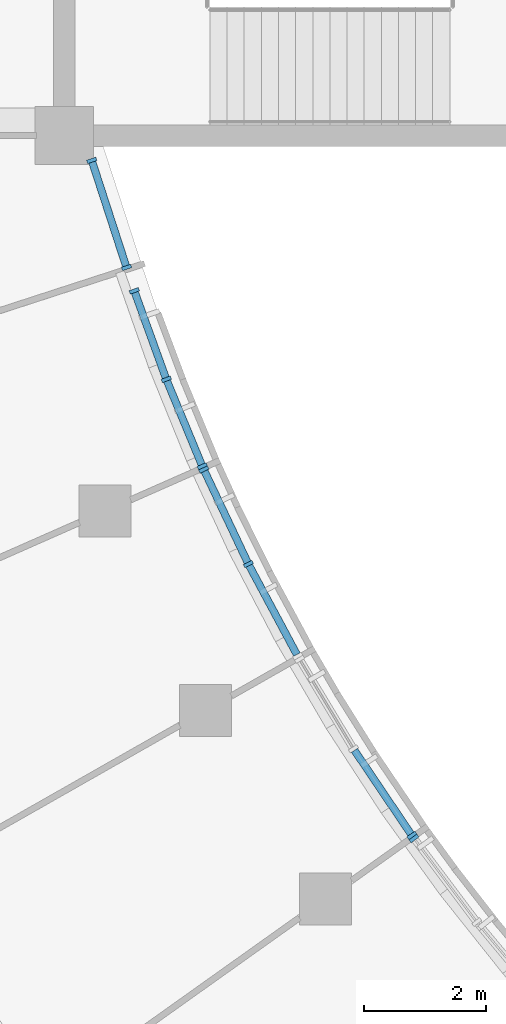
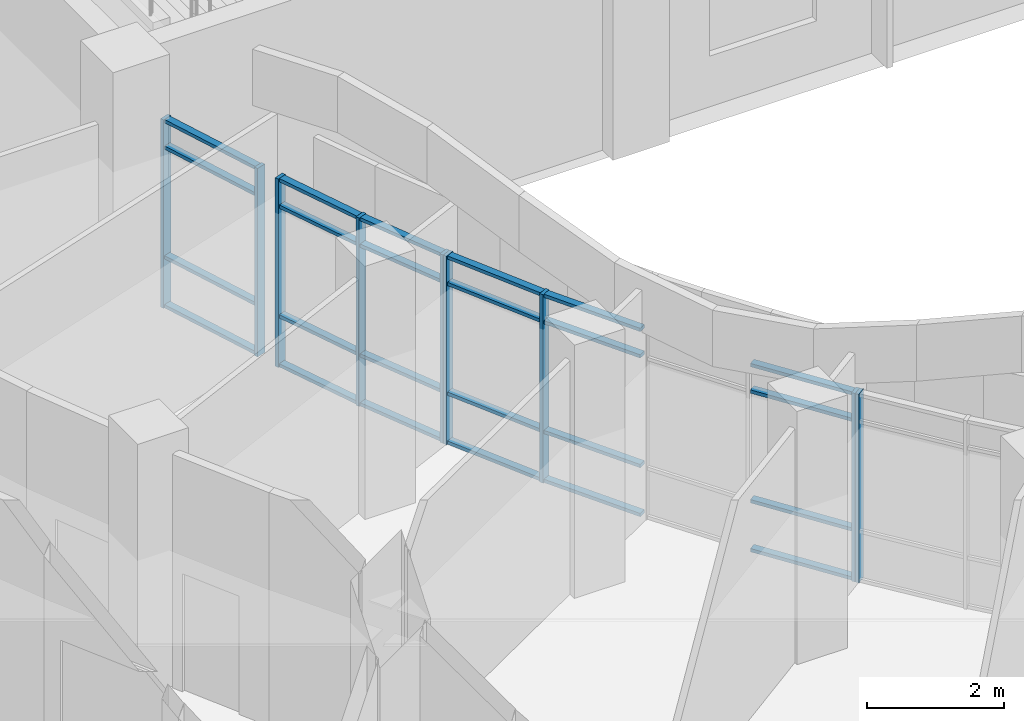
# One storey, part 22 of 136: 33 members, 5 elements without a shape of their own.
"""IFC4 building model written with IfcOpenShell, lengths in metres."""

from ifc_helpers import new_model, si_unit, direction, frame, origin, origin_2d, place, context, subcontext, project, spatial, rectangle, extrude, material, material_profile, profile_set, type_object, element, aggregate, save


model = new_model("IFC4")

# Units and contexts
model_context = context("Model", 3, precision=1e-05, world=origin(), true_north=direction((0.0, 1.0)))
body_context = subcontext(model_context, "Body", "Model", "MODEL_VIEW")
ifc_project = project(units=[si_unit("LENGTHUNIT", "METRE"), si_unit("AREAUNIT", "SQUARE_METRE"), si_unit("VOLUMEUNIT", "CUBIC_METRE"), si_unit("PLANEANGLEUNIT", "RADIAN"), si_unit("MASSUNIT", "GRAM", prefix="KILO")], contexts=[model_context])

# Site, building, storey
site_placement = place(None, origin())
site = spatial("IfcSite", under=ifc_project, at=site_placement, CompositionType="ELEMENT")
building_placement = place(site_placement, origin())
building = spatial("IfcBuilding", under=site, at=building_placement, Name="Bougainvillea Quay General Hospital", CompositionType="ELEMENT")
storey_placement = place(building_placement, frame((0.0, 0.0, 5.39990234375)))
storey = spatial("IfcBuildingStorey", under=building, at=storey_placement, Name="L01", CompositionType="ELEMENT", Elevation=5.39990234375)

# Curtain wall, member
ifc_material_1 = material(Name="Aluminium curtain wall system, powder-coated glazed", Category="aluminium")
curtain_wall_type_1 = type_object("IfcCurtainWallType", Name="Unitised curtain wall CW-2100", PredefinedType="NOTDEFINED", material=ifc_material_1)
curtain_wall_1_placement = place(storey_placement, origin())
curtain_wall_1 = element("IfcCurtainWall", 1, at=curtain_wall_1_placement, inside=storey, type_object=curtain_wall_type_1, Name="CW-W05 a11b4", PredefinedType="NOTDEFINED")
ifc_material_2 = material(Name="Aluminium mullion, powder-coated charcoal", Category="aluminium")
ifc_material_profile_1 = material_profile(ifc_material_2, rectangle(XDim=0.159912109375, YDim=0.06005859375, at=origin_2d()))
ifc_profile_set_1 = profile_set([ifc_material_profile_1], Name="Aluminium mullion, powder-coated charcoal")
member_type_1 = type_object("IfcMemberType", Name="Curtain wall mullion 160x60", PredefinedType="MULLION", material=ifc_profile_set_1)
member_1_placement = place(storey_placement, frame((81.313720703125, 106.1162109375, 0.0), z_axis=(0.0, 0.0, 1.0), x_axis=(-0.799758007688, -0.600322520933, 0.0)))
member_1 = element("IfcMember", 2, at=member_1_placement, type_object=member_type_1, Name="CW-W05 mullion 3", PredefinedType="MULLION", context=body_context, shape_type="SweptSolid", body=[
    extrude(rectangle(XDim=0.159912109375, YDim=0.06005859375, at=origin_2d()), origin(), (0.0, 0.0, 1.0), 3.35009765625),
])
aggregate(curtain_wall_1, [member_1])

curtain_wall_2_placement = place(storey_placement, origin())
curtain_wall_2 = element("IfcCurtainWall", 3, at=curtain_wall_2_placement, inside=storey, type_object=curtain_wall_type_1, Name="CW-W06 a11b5", PredefinedType="NOTDEFINED")
member_2_placement = place(storey_placement, frame((81.279052734375, 106.1650390625, 0.0), z_axis=(0.0, 0.0, 1.0), x_axis=(-0.82916442806, -0.55900478642, 0.0)))
member_2 = element("IfcMember", 4, at=member_2_placement, type_object=member_type_1, Name="CW-W06 mullion 1", PredefinedType="MULLION", context=body_context, shape_type="SweptSolid", body=[
    extrude(rectangle(XDim=0.159912109375, YDim=0.06005859375, at=origin_2d()), origin(), (0.0, 0.0, 1.0), 3.35009765625),
])

# Curtain wall, members
curtain_wall_3_placement = place(storey_placement, origin())
curtain_wall_3 = element("IfcCurtainWall", 5, at=curtain_wall_3_placement, inside=storey, type_object=curtain_wall_type_1, Name="CW-W07 a11b6", PredefinedType="NOTDEFINED")
member_3_placement = place(storey_placement, frame((78.60791015625, 110.59912109375, 0.0), z_axis=(0.0, 0.0, 1.0), x_axis=(-0.893198796365, -0.449661995473, 0.0)))
member_3 = element("IfcMember", 6, at=member_3_placement, type_object=member_type_1, Name="CW-W07 mullion 2", PredefinedType="MULLION", context=body_context, shape_type="SweptSolid", body=[
    extrude(rectangle(XDim=0.159912109375, YDim=0.06005859375, at=origin_2d()), origin(), (0.0, 0.0, 1.0), 3.35009765625),
])
member_4_placement = place(storey_placement, frame((77.87939453125, 112.142822265625, 0.0), z_axis=(0.0, 0.0, 1.0), x_axis=(-0.904313640176, -0.426868645126, 0.0)))
member_4 = element("IfcMember", 7, at=member_4_placement, type_object=member_type_1, Name="CW-W07 mullion 3", PredefinedType="MULLION", context=body_context, shape_type="SweptSolid", body=[
    extrude(rectangle(XDim=0.159912109375, YDim=0.06005859375, at=origin_2d()), origin(), (0.0, 0.0, 1.0), 3.35009765625),
])

curtain_wall_4_placement = place(storey_placement, origin())
curtain_wall_4 = element("IfcCurtainWall", 8, at=curtain_wall_4_placement, inside=storey, type_object=curtain_wall_type_1, Name="CW-W08 a11b7", PredefinedType="NOTDEFINED")
member_5_placement = place(storey_placement, frame((77.85498046875, 112.197509765625, 0.0), z_axis=(0.0, 0.0, 1.0), x_axis=(-0.923843470036, -0.382770483282, 0.0)))
member_5 = element("IfcMember", 9, at=member_5_placement, type_object=member_type_1, Name="CW-W08 mullion 1", PredefinedType="MULLION", context=body_context, shape_type="SweptSolid", body=[
    extrude(rectangle(XDim=0.159912109375, YDim=0.06005859375, at=origin_2d()), origin(), (0.0, 0.0, 1.0), 3.35009765625),
])
member_6_placement = place(storey_placement, frame((77.266845703125, 113.6171875, 0.0), z_axis=(0.0, 0.0, 1.0), x_axis=(-0.932356633806, -0.361539911211, 0.0)))
member_6 = element("IfcMember", 10, at=member_6_placement, type_object=member_type_1, Name="CW-W08 mullion 2", PredefinedType="MULLION", context=body_context, shape_type="SweptSolid", body=[
    extrude(rectangle(XDim=0.159912109375, YDim=0.06005859375, at=origin_2d()), origin(), (0.0, 0.0, 1.0), 3.35009765625),
])
member_7_placement = place(storey_placement, frame((76.744140625, 115.0625, 0.0), z_axis=(0.0, 0.0, 1.0), x_axis=(-0.940381978185, -0.340120177444, 0.0)))
member_7 = element("IfcMember", 11, at=member_7_placement, type_object=member_type_1, Name="CW-W08 mullion 3", PredefinedType="MULLION", context=body_context, shape_type="SweptSolid", body=[
    extrude(rectangle(XDim=0.159912109375, YDim=0.06005859375, at=origin_2d()), origin(), (0.0, 0.0, 1.0), 3.35009765625),
])

curtain_wall_type_2 = type_object("IfcCurtainWallType", Name="Unitised curtain wall CW-1900", PredefinedType="NOTDEFINED", material=ifc_material_1)
curtain_wall_5_placement = place(storey_placement, origin())
curtain_wall_5 = element("IfcCurtainWall", 12, at=curtain_wall_5_placement, inside=storey, type_object=curtain_wall_type_2, Name="CW-AE 00", PredefinedType="NOTDEFINED")
member_8_placement = place(storey_placement, frame((76.616943359375, 115.4443359375, 0.0), z_axis=(0.0, 0.0, 1.0), x_axis=(-0.951071619809, -0.308970506674, 0.0)))
member_8 = element("IfcMember", 13, at=member_8_placement, type_object=member_type_1, Name="CW-AE mullion 1", PredefinedType="MULLION", context=body_context, shape_type="SweptSolid", body=[
    extrude(rectangle(XDim=0.159912109375, YDim=0.06005859375, at=origin_2d()), origin(), (0.0, 0.0, 1.0), 3.35009765625),
])
member_9_placement = place(storey_placement, frame((76.048583984375, 117.19384765625, 0.0), z_axis=(0.0, 0.0, 1.0), x_axis=(-0.951071619809, -0.308970506674, 0.0)))
member_9 = element("IfcMember", 14, at=member_9_placement, type_object=member_type_1, Name="CW-AE mullion 2", PredefinedType="MULLION", context=body_context, shape_type="SweptSolid", body=[
    extrude(rectangle(XDim=0.159912109375, YDim=0.06005859375, at=origin_2d()), origin(), (0.0, 0.0, 1.0), 3.35009765625),
])

# Member
ifc_material_3 = material(Name="Aluminium transom, powder-coated charcoal", Category="aluminium")
ifc_material_profile_2 = material_profile(ifc_material_3, rectangle(XDim=0.1201171875, YDim=0.06005859375, at=origin_2d()))
ifc_profile_set_2 = profile_set([ifc_material_profile_2], Name="Aluminium transom, powder-coated charcoal")
member_type_2 = type_object("IfcMemberType", Name="Curtain wall transom 120x60", PredefinedType="USERDEFINED", material=ifc_profile_set_2)
member_10_placement = place(storey_placement, frame((81.26220703125, 106.18994140625, 0.030029296875), z_axis=(-0.559037395343, 0.829142442894, 0.0), x_axis=(-0.829142442894, -0.559037395343, 0.0)))
member_10 = element("IfcMember", 15, at=member_10_placement, type_object=member_type_2, Name="CW-W06 transom 1.1", ObjectType="TRANSOM", PredefinedType="USERDEFINED", context=body_context, shape_type="SweptSolid", body=[
    extrude(rectangle(XDim=0.1201171875, YDim=0.06005859375, at=origin_2d()), origin(), (0.0, 0.0, 1.0), 1.64697265625),
])

member_11_placement = place(storey_placement, frame((81.26220703125, 106.18994140625, 0.900146484375), z_axis=(-0.559037395343, 0.829142442894, 0.0), x_axis=(-0.829142442894, -0.559037395343, 0.0)))
member_11 = element("IfcMember", 16, at=member_11_placement, type_object=member_type_2, Name="CW-W06 transom 1.2", ObjectType="TRANSOM", PredefinedType="USERDEFINED", context=body_context, shape_type="SweptSolid", body=[
    extrude(rectangle(XDim=0.1201171875, YDim=0.06005859375, at=origin_2d()), origin(), (0.0, 0.0, 1.0), 1.64697265625),
])

member_12_placement = place(storey_placement, frame((81.26220703125, 106.18994140625, 2.85009765625), z_axis=(-0.559037395343, 0.829142442894, 0.0), x_axis=(-0.829142442894, -0.559037395343, 0.0)))
member_12 = element("IfcMember", 17, at=member_12_placement, type_object=member_type_2, Name="CW-W06 transom 1.3", ObjectType="TRANSOM", PredefinedType="USERDEFINED", context=body_context, shape_type="SweptSolid", body=[
    extrude(rectangle(XDim=0.1201171875, YDim=0.06005859375, at=origin_2d()), origin(), (0.0, 0.0, 1.0), 1.64697265625),
])

member_13_placement = place(storey_placement, frame((81.26220703125, 106.18994140625, 3.320068359375), z_axis=(-0.559037395343, 0.829142442894, 0.0), x_axis=(-0.829142442894, -0.559037395343, 0.0)))
member_13 = element("IfcMember", 18, at=member_13_placement, type_object=member_type_2, Name="CW-W06 transom 1.4", ObjectType="TRANSOM", PredefinedType="USERDEFINED", context=body_context, shape_type="SweptSolid", body=[
    extrude(rectangle(XDim=0.1201171875, YDim=0.06005859375, at=origin_2d()), origin(), (0.0, 0.0, 1.0), 1.64697265625),
])

aggregate(curtain_wall_2, [member_2, member_10, member_11, member_12, member_13])

member_14_placement = place(storey_placement, frame((79.39990234375, 109.120849609375, 0.030029296875), z_axis=(-0.472233752021, 0.881473359468, 0.0), x_axis=(-0.881473359468, -0.472233752021, 0.0)))
member_14 = element("IfcMember", 19, at=member_14_placement, type_object=member_type_2, Name="CW-W07 transom 1.1", ObjectType="TRANSOM", PredefinedType="USERDEFINED", context=body_context, shape_type="SweptSolid", body=[
    extrude(rectangle(XDim=0.1201171875, YDim=0.06005859375, at=origin_2d()), origin(), (0.0, 0.0, 1.0), 1.647216796875),
])

member_15_placement = place(storey_placement, frame((79.39990234375, 109.120849609375, 0.900146484375), z_axis=(-0.472233752021, 0.881473359468, 0.0), x_axis=(-0.881473359468, -0.472233752021, 0.0)))
member_15 = element("IfcMember", 20, at=member_15_placement, type_object=member_type_2, Name="CW-W07 transom 1.2", ObjectType="TRANSOM", PredefinedType="USERDEFINED", context=body_context, shape_type="SweptSolid", body=[
    extrude(rectangle(XDim=0.1201171875, YDim=0.06005859375, at=origin_2d()), origin(), (0.0, 0.0, 1.0), 1.647216796875),
])

member_16_placement = place(storey_placement, frame((79.39990234375, 109.120849609375, 2.85009765625), z_axis=(-0.472233752021, 0.881473359468, 0.0), x_axis=(-0.881473359468, -0.472233752021, 0.0)))
member_16 = element("IfcMember", 21, at=member_16_placement, type_object=member_type_2, Name="CW-W07 transom 1.3", ObjectType="TRANSOM", PredefinedType="USERDEFINED", context=body_context, shape_type="SweptSolid", body=[
    extrude(rectangle(XDim=0.1201171875, YDim=0.06005859375, at=origin_2d()), origin(), (0.0, 0.0, 1.0), 1.647216796875),
])

member_17_placement = place(storey_placement, frame((79.39990234375, 109.120849609375, 3.320068359375), z_axis=(-0.472233752021, 0.881473359468, 0.0), x_axis=(-0.881473359468, -0.472233752021, 0.0)))
member_17 = element("IfcMember", 22, at=member_17_placement, type_object=member_type_2, Name="CW-W07 transom 1.4", ObjectType="TRANSOM", PredefinedType="USERDEFINED", context=body_context, shape_type="SweptSolid", body=[
    extrude(rectangle(XDim=0.1201171875, YDim=0.06005859375, at=origin_2d()), origin(), (0.0, 0.0, 1.0), 1.647216796875),
])

member_18_placement = place(storey_placement, frame((78.59521484375, 110.626220703125, 0.030029296875), z_axis=(-0.426938963693, 0.904280443934, 0.0), x_axis=(-0.904280443934, -0.426938963693, 0.0)))
member_18 = element("IfcMember", 23, at=member_18_placement, type_object=member_type_2, Name="CW-W07 transom 2.1", ObjectType="TRANSOM", PredefinedType="USERDEFINED", context=body_context, shape_type="SweptSolid", body=[
    extrude(rectangle(XDim=0.1201171875, YDim=0.06005859375, at=origin_2d()), origin(), (0.0, 0.0, 1.0), 1.64697265625),
])

member_19_placement = place(storey_placement, frame((78.59521484375, 110.626220703125, 0.900146484375), z_axis=(-0.426938963693, 0.904280443934, 0.0), x_axis=(-0.904280443934, -0.426938963693, 0.0)))
member_19 = element("IfcMember", 24, at=member_19_placement, type_object=member_type_2, Name="CW-W07 transom 2.2", ObjectType="TRANSOM", PredefinedType="USERDEFINED", context=body_context, shape_type="SweptSolid", body=[
    extrude(rectangle(XDim=0.1201171875, YDim=0.06005859375, at=origin_2d()), origin(), (0.0, 0.0, 1.0), 1.64697265625),
])

member_20_placement = place(storey_placement, frame((78.59521484375, 110.626220703125, 2.85009765625), z_axis=(-0.426938963693, 0.904280443934, 0.0), x_axis=(-0.904280443934, -0.426938963693, 0.0)))
member_20 = element("IfcMember", 25, at=member_20_placement, type_object=member_type_2, Name="CW-W07 transom 2.3", ObjectType="TRANSOM", PredefinedType="USERDEFINED", context=body_context, shape_type="SweptSolid", body=[
    extrude(rectangle(XDim=0.1201171875, YDim=0.06005859375, at=origin_2d()), origin(), (0.0, 0.0, 1.0), 1.64697265625),
])

member_21_placement = place(storey_placement, frame((78.59521484375, 110.626220703125, 3.320068359375), z_axis=(-0.426938963693, 0.904280443934, 0.0), x_axis=(-0.904280443934, -0.426938963693, 0.0)))
member_21 = element("IfcMember", 26, at=member_21_placement, type_object=member_type_2, Name="CW-W07 transom 2.4", ObjectType="TRANSOM", PredefinedType="USERDEFINED", context=body_context, shape_type="SweptSolid", body=[
    extrude(rectangle(XDim=0.1201171875, YDim=0.06005859375, at=origin_2d()), origin(), (0.0, 0.0, 1.0), 1.64697265625),
])

aggregate(curtain_wall_3, [member_3, member_4, member_14, member_15, member_16, member_17, member_18, member_19, member_20, member_21])

member_22_placement = place(storey_placement, frame((77.843505859375, 112.225341796875, 0.030029296875), z_axis=(-0.382736296067, 0.923857633877, 0.0), x_axis=(-0.923857633877, -0.382736296067, 0.0)))
member_22 = element("IfcMember", 27, at=member_22_placement, type_object=member_type_2, Name="CW-W08 transom 1.1", ObjectType="TRANSOM", PredefinedType="USERDEFINED", context=body_context, shape_type="SweptSolid", body=[
    extrude(rectangle(XDim=0.1201171875, YDim=0.06005859375, at=origin_2d()), origin(), (0.0, 0.0, 1.0), 1.476806640625),
])

member_23_placement = place(storey_placement, frame((77.843505859375, 112.225341796875, 0.900146484375), z_axis=(-0.382736296067, 0.923857633877, 0.0), x_axis=(-0.923857633877, -0.382736296067, 0.0)))
member_23 = element("IfcMember", 28, at=member_23_placement, type_object=member_type_2, Name="CW-W08 transom 1.2", ObjectType="TRANSOM", PredefinedType="USERDEFINED", context=body_context, shape_type="SweptSolid", body=[
    extrude(rectangle(XDim=0.1201171875, YDim=0.06005859375, at=origin_2d()), origin(), (0.0, 0.0, 1.0), 1.476806640625),
])

member_24_placement = place(storey_placement, frame((77.843505859375, 112.225341796875, 2.85009765625), z_axis=(-0.382736296067, 0.923857633877, 0.0), x_axis=(-0.923857633877, -0.382736296067, 0.0)))
member_24 = element("IfcMember", 29, at=member_24_placement, type_object=member_type_2, Name="CW-W08 transom 1.3", ObjectType="TRANSOM", PredefinedType="USERDEFINED", context=body_context, shape_type="SweptSolid", body=[
    extrude(rectangle(XDim=0.1201171875, YDim=0.06005859375, at=origin_2d()), origin(), (0.0, 0.0, 1.0), 1.476806640625),
])

member_25_placement = place(storey_placement, frame((77.843505859375, 112.225341796875, 3.320068359375), z_axis=(-0.382736296067, 0.923857633877, 0.0), x_axis=(-0.923857633877, -0.382736296067, 0.0)))
member_25 = element("IfcMember", 30, at=member_25_placement, type_object=member_type_2, Name="CW-W08 transom 1.4", ObjectType="TRANSOM", PredefinedType="USERDEFINED", context=body_context, shape_type="SweptSolid", body=[
    extrude(rectangle(XDim=0.1201171875, YDim=0.06005859375, at=origin_2d()), origin(), (0.0, 0.0, 1.0), 1.476806640625),
])

member_26_placement = place(storey_placement, frame((77.256591796875, 113.6455078125, 0.030029296875), z_axis=(-0.340083199438, 0.940395351679, 0.0), x_axis=(-0.940395351679, -0.340083199438, 0.0)))
member_26 = element("IfcMember", 31, at=member_26_placement, type_object=member_type_2, Name="CW-W08 transom 2.1", ObjectType="TRANSOM", PredefinedType="USERDEFINED", context=body_context, shape_type="SweptSolid", body=[
    extrude(rectangle(XDim=0.1201171875, YDim=0.06005859375, at=origin_2d()), origin(), (0.0, 0.0, 1.0), 1.476806640625),
])

member_27_placement = place(storey_placement, frame((77.256591796875, 113.6455078125, 0.900146484375), z_axis=(-0.340083199438, 0.940395351679, 0.0), x_axis=(-0.940395351679, -0.340083199438, 0.0)))
member_27 = element("IfcMember", 32, at=member_27_placement, type_object=member_type_2, Name="CW-W08 transom 2.2", ObjectType="TRANSOM", PredefinedType="USERDEFINED", context=body_context, shape_type="SweptSolid", body=[
    extrude(rectangle(XDim=0.1201171875, YDim=0.06005859375, at=origin_2d()), origin(), (0.0, 0.0, 1.0), 1.476806640625),
])

member_28_placement = place(storey_placement, frame((77.256591796875, 113.6455078125, 2.85009765625), z_axis=(-0.340083199438, 0.940395351679, 0.0), x_axis=(-0.940395351679, -0.340083199438, 0.0)))
member_28 = element("IfcMember", 33, at=member_28_placement, type_object=member_type_2, Name="CW-W08 transom 2.3", ObjectType="TRANSOM", PredefinedType="USERDEFINED", context=body_context, shape_type="SweptSolid", body=[
    extrude(rectangle(XDim=0.1201171875, YDim=0.06005859375, at=origin_2d()), origin(), (0.0, 0.0, 1.0), 1.476806640625),
])

member_29_placement = place(storey_placement, frame((77.256591796875, 113.6455078125, 3.320068359375), z_axis=(-0.340083199438, 0.940395351679, 0.0), x_axis=(-0.940395351679, -0.340083199438, 0.0)))
member_29 = element("IfcMember", 34, at=member_29_placement, type_object=member_type_2, Name="CW-W08 transom 2.4", ObjectType="TRANSOM", PredefinedType="USERDEFINED", context=body_context, shape_type="SweptSolid", body=[
    extrude(rectangle(XDim=0.1201171875, YDim=0.06005859375, at=origin_2d()), origin(), (0.0, 0.0, 1.0), 1.476806640625),
])

aggregate(curtain_wall_4, [member_5, member_6, member_7, member_22, member_23, member_24, member_25, member_26, member_27, member_28, member_29])

member_30_placement = place(storey_placement, frame((76.607666015625, 115.472900390625, 0.030029296875), z_axis=(-0.308974386774, 0.951070359289, 0.0), x_axis=(-0.951070359289, -0.308974386774, 0.0)))
member_30 = element("IfcMember", 35, at=member_30_placement, type_object=member_type_2, Name="CW-AE transom 1.1", ObjectType="TRANSOM", PredefinedType="USERDEFINED", context=body_context, shape_type="SweptSolid", body=[
    extrude(rectangle(XDim=0.1201171875, YDim=0.06005859375, at=origin_2d()), origin(), (0.0, 0.0, 1.0), 1.779541015625),
])

member_31_placement = place(storey_placement, frame((76.607666015625, 115.472900390625, 0.900146484375), z_axis=(-0.308974386774, 0.951070359289, 0.0), x_axis=(-0.951070359289, -0.308974386774, 0.0)))
member_31 = element("IfcMember", 36, at=member_31_placement, type_object=member_type_2, Name="CW-AE transom 1.2", ObjectType="TRANSOM", PredefinedType="USERDEFINED", context=body_context, shape_type="SweptSolid", body=[
    extrude(rectangle(XDim=0.1201171875, YDim=0.06005859375, at=origin_2d()), origin(), (0.0, 0.0, 1.0), 1.779541015625),
])

member_32_placement = place(storey_placement, frame((76.607666015625, 115.472900390625, 2.85009765625), z_axis=(-0.308974386774, 0.951070359289, 0.0), x_axis=(-0.951070359289, -0.308974386774, 0.0)))
member_32 = element("IfcMember", 37, at=member_32_placement, type_object=member_type_2, Name="CW-AE transom 1.3", ObjectType="TRANSOM", PredefinedType="USERDEFINED", context=body_context, shape_type="SweptSolid", body=[
    extrude(rectangle(XDim=0.1201171875, YDim=0.06005859375, at=origin_2d()), origin(), (0.0, 0.0, 1.0), 1.779541015625),
])

member_33_placement = place(storey_placement, frame((76.607666015625, 115.472900390625, 3.320068359375), z_axis=(-0.308974386774, 0.951070359289, 0.0), x_axis=(-0.951070359289, -0.308974386774, 0.0)))
member_33 = element("IfcMember", 38, at=member_33_placement, type_object=member_type_2, Name="CW-AE transom 1.4", ObjectType="TRANSOM", PredefinedType="USERDEFINED", context=body_context, shape_type="SweptSolid", body=[
    extrude(rectangle(XDim=0.1201171875, YDim=0.06005859375, at=origin_2d()), origin(), (0.0, 0.0, 1.0), 1.779541015625),
])

aggregate(curtain_wall_5, [member_8, member_9, member_30, member_31, member_32, member_33])

save(model, "model.ifc")
